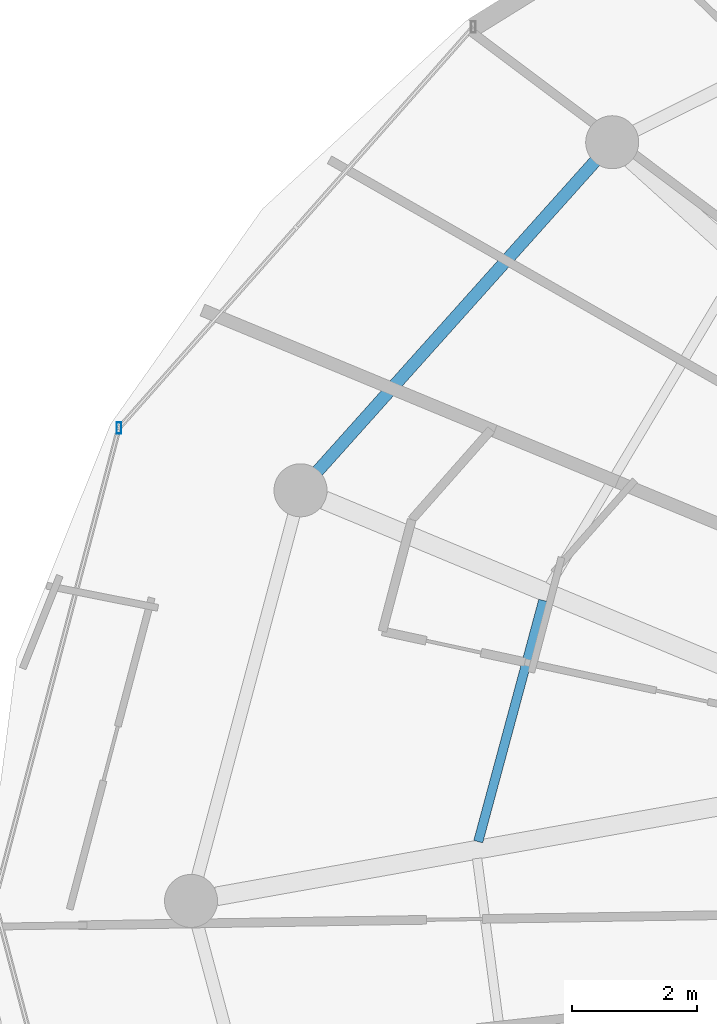
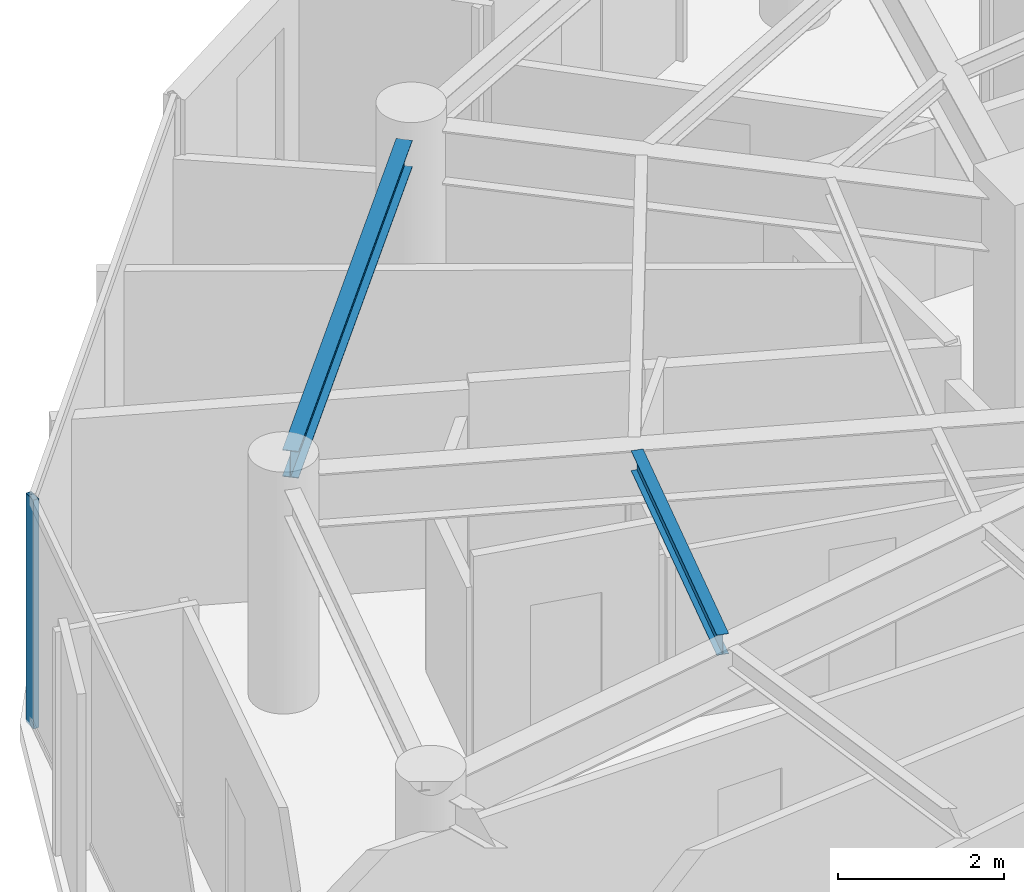
# One storey, part 9 of 31: 2 beams, 1 member, 1 element without a shape of its own.
"""IFC4 building model written with IfcOpenShell, lengths in metres."""

from ifc_helpers import new_model, si_unit, direction, frame, origin, origin_2d, place, context, subcontext, project, spatial, hollow_rectangle, i_section, extrude, material, material_profile, profile_set, type_object, element, aggregate, save


model = new_model("IFC4")

# Units and contexts
model_context = context("Model", 3, precision=1e-05, world=origin(), true_north=direction((0.0, 1.0)))
body_context = subcontext(model_context, "Body", "Model", "MODEL_VIEW")
ifc_project = project(units=[si_unit("LENGTHUNIT", "METRE"), si_unit("AREAUNIT", "SQUARE_METRE"), si_unit("VOLUMEUNIT", "CUBIC_METRE"), si_unit("PLANEANGLEUNIT", "RADIAN"), si_unit("MASSUNIT", "GRAM", prefix="KILO")], contexts=[model_context])

# Site, building, storey
site_placement = place(None, origin())
site = spatial("IfcSite", under=ifc_project, at=site_placement, CompositionType="ELEMENT")
building_placement = place(site_placement, origin())
building = spatial("IfcBuilding", under=site, at=building_placement, Name="Vorneva Point Tower", CompositionType="ELEMENT")
storey_placement = place(building_placement, frame((0.0, 0.0, 244.89990234375)))
storey = spatial("IfcBuildingStorey", under=building, at=storey_placement, Name="L66", CompositionType="ELEMENT", Elevation=244.89990234375)

# Beams
ifc_material_1 = material(Name="Steel S355", Category="steel")
ifc_material_profile_1 = material_profile(ifc_material_1, i_section(OverallWidth=0.14892578125, OverallDepth=0.298095703125, WebThickness=0.005615234375, FlangeThickness=0.008056640625, at=origin_2d()), Name="30B1")
ifc_profile_set_1 = profile_set([ifc_material_profile_1], Name="Steel S355")
beam_type_1 = type_object("IfcBeamType", Name="BM-JST-30B1", PredefinedType="JOIST", material=ifc_profile_set_1)
beam_1_placement = place(storey_placement, frame((20.59619140625, 30.81689453125, 3.14111328125), z_axis=(-0.260310139159, -0.965525054802, 0.0), x_axis=(0.965525054802, -0.260310139159, 0.0)))
element("IfcBeam", 1, at=beam_1_placement, inside=storey, type_object=beam_type_1, Name="L66 Secondary Floor Beam 1.08", PredefinedType="JOIST", context=body_context, shape_type="SweptSolid", body=[
    extrude(i_section(OverallWidth=0.14892578125, OverallDepth=0.298095703125, WebThickness=0.005615234375, FlangeThickness=0.008056640625, at=origin_2d()), origin(), (0.0, 0.0, 1.0), 4.0048828125),
])
ifc_material_profile_2 = material_profile(ifc_material_1, i_section(OverallWidth=0.198974609375, OverallDepth=0.39599609375, WebThickness=0.007080078125, FlangeThickness=0.010986328125, at=origin_2d()), Name="40B1")
ifc_profile_set_2 = profile_set([ifc_material_profile_2], Name="Steel S355")
beam_type_2 = type_object("IfcBeamType", Name="BM-SPN-40B1", PredefinedType="SPANDREL", material=ifc_profile_set_2)
beam_2_placement = place(storey_placement, frame((21.427734375, 37.856689453125, 3.092041015625), z_axis=(-0.667108282638, -0.744960763554, 0.0), x_axis=(0.744960763554, -0.667108282638, 0.0)))
element("IfcBeam", 2, at=beam_2_placement, inside=storey, type_object=beam_type_2, Name="L66 Perimeter Spandrel Ring Beam 07", PredefinedType="SPANDREL", context=body_context, shape_type="SweptSolid", body=[
    extrude(i_section(OverallWidth=0.198974609375, OverallDepth=0.39599609375, WebThickness=0.007080078125, FlangeThickness=0.010986328125, at=origin_2d()), origin(), (0.0, 0.0, 1.0), 6.670166015625),
])

# Curtain wall, member
ifc_material_2 = material(Name="Pale anodised aluminium", Category="aluminium")
curtain_wall_type = type_object("IfcCurtainWallType", Name="CW-RES-SYS", PredefinedType="NOTDEFINED", material=ifc_material_2)
curtain_wall_placement = place(storey_placement, origin())
curtain_wall = element("IfcCurtainWall", 3, at=curtain_wall_placement, inside=storey, type_object=curtain_wall_type, Name="L66 Unitised Curtain Wall CW-L66-R03", PredefinedType="NOTDEFINED")
ifc_material_profile_3 = material_profile(ifc_material_2, hollow_rectangle(XDim=0.074951171875, YDim=0.179931640625, WallThickness=0.00390625, at=origin_2d()), Name="AL-MUL 180x75x4")
ifc_profile_set_3 = profile_set([ifc_material_profile_3], Name="Pale anodised aluminium")
member_type = type_object("IfcMemberType", Name="CW-MUL-180", PredefinedType="MULLION", material=ifc_profile_set_3)
member_placement = place(storey_placement, frame((13.79443359375, 33.5810546875, -0.039794921875), z_axis=(0.0, 0.0, 1.0), x_axis=(1.0, 0.0, 0.0)))
member = element("IfcMember", 4, at=member_placement, type_object=member_type, Name="CW-L66-R03 Mullion 02", PredefinedType="MULLION", context=body_context, shape_type="SweptSolid", body=[
    extrude(hollow_rectangle(XDim=0.074951171875, YDim=0.179931640625, WallThickness=0.00390625, at=origin_2d()), origin(), (0.0, 0.0, 1.0), 3.35986328125),
])
aggregate(curtain_wall, [member])

save(model, "model.ifc")
